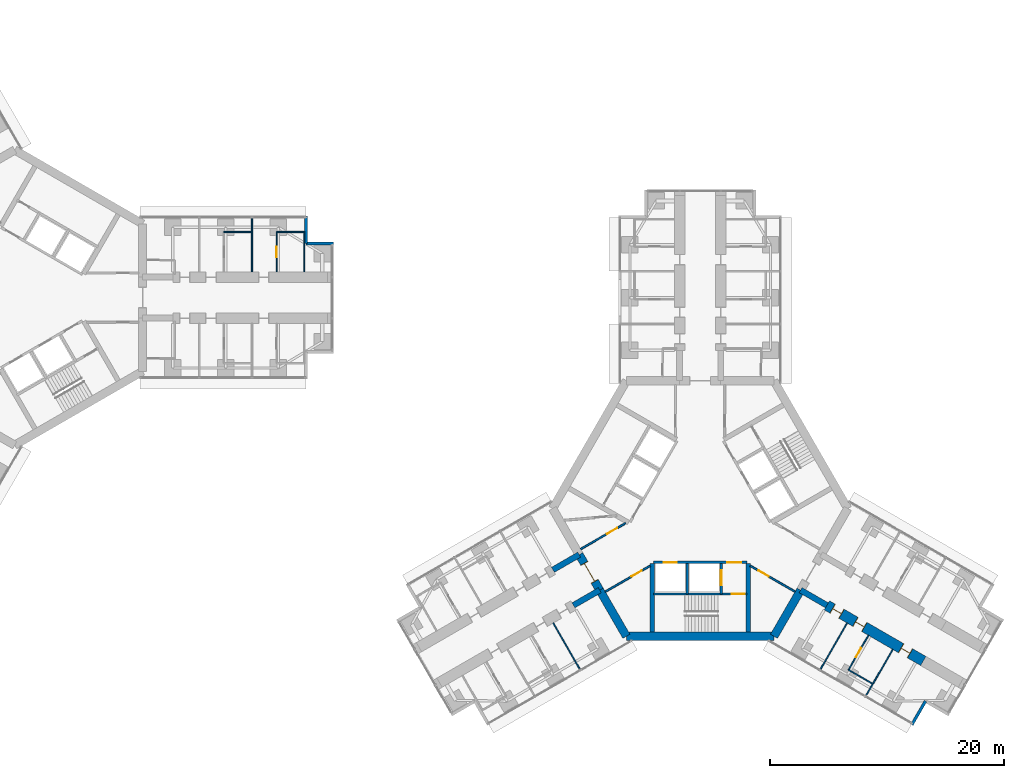
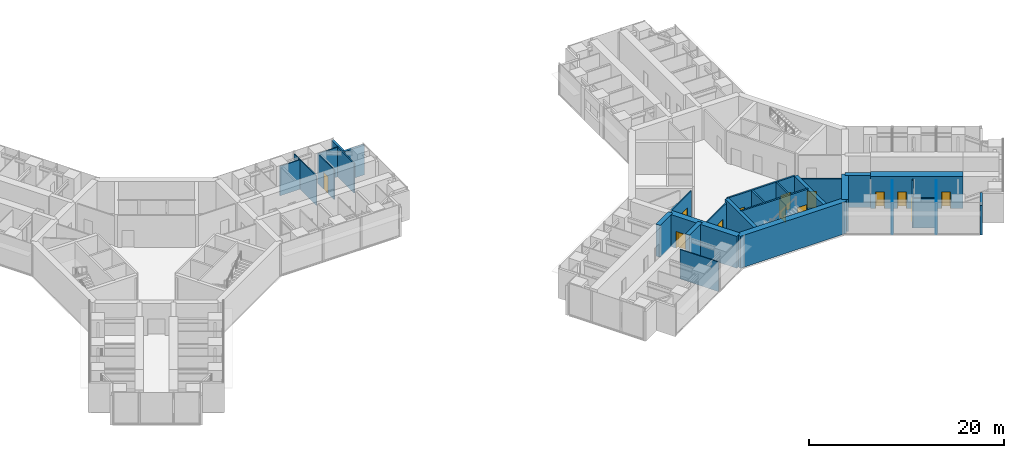
# One storey, part 20 of 25: 30 walls, 13 doors, 13 openings.
"""IFC4 building model written with IfcOpenShell, lengths in metres."""

from ifc_helpers import new_model, si_unit, direction, frame, frame_2d, origin, place, context, subcontext, project, spatial, rectangle, extrude, material, layer, layer_set, type_object, element, fill, save


model = new_model("IFC4")

# Units and contexts
model_context = context("Model", 3, precision=1e-05, world=origin(), true_north=direction((0.0, 1.0)))
body_context = subcontext(model_context, "Body", "Model", "MODEL_VIEW")
ifc_project = project(units=[si_unit("LENGTHUNIT", "METRE"), si_unit("AREAUNIT", "SQUARE_METRE"), si_unit("VOLUMEUNIT", "CUBIC_METRE"), si_unit("PLANEANGLEUNIT", "RADIAN"), si_unit("MASSUNIT", "GRAM", prefix="KILO")], contexts=[model_context])

# Site, building, storey
site_placement = place(None, origin())
site = spatial("IfcSite", under=ifc_project, at=site_placement, CompositionType="ELEMENT")
building_placement = place(site_placement, origin())
building = spatial("IfcBuilding", under=site, at=building_placement, Name="Upepo Twin Towers", CompositionType="ELEMENT")
storey_placement = place(building_placement, frame((0.0, 0.0, 88.5)))
storey = spatial("IfcBuildingStorey", under=building, at=storey_placement, Name="L21", CompositionType="ELEMENT", Elevation=88.5)

# Walls
ifc_material_1 = material(Name="Concrete C60/75", Category="concrete")
ifc_layer_1 = layer(ifc_material_1, 0.5)
ifc_layer_set_1 = layer_set([ifc_layer_1], Name="Concrete C60/75")
wall_type_1 = type_object("IfcWallType", Name="Buttress wall 500 RC", PredefinedType="SHEAR", material=ifc_layer_set_1)
for number, where, z_axis, x_axis, name in (
    (1, (49.92822265625, -24.9697265625, 0.0), (0.0, 0.0, 1.0), (-0.866031863473, -0.499988811324, 0.0), "T2 wing B buttress wall L"),
    (2, (48.17822265625, -21.938720703125, 0.0), (0.0, 0.0, 1.0), (-0.866072649678, -0.499918158782, 0.0), "T2 wing B buttress wall R"),
    (3, (67.07177734375, -24.9697265625, 0.0), (0.0, 0.0, 1.0), (0.866031863473, -0.499988811324, 0.0), "T2 wing C buttress wall R"),
):
    element("IfcWall", number, at=place(storey_placement, frame(where, z_axis=z_axis, x_axis=x_axis)), inside=storey, type_object=wall_type_1, Name=name, PredefinedType="SHEAR", context=body_context, shape_type="SweptSolid", body=[
        extrude(rectangle(XDim=2.591796875, YDim=0.5, at=frame_2d((1.2958984375, 0.0))), origin(), (0.0, 0.0, 1.0), 4.0),
    ])

# Wall, openings, doors
ifc_material_2 = material(Name="Concrete C60/75", Category="concrete")
ifc_layer_2 = layer(ifc_material_2, 0.89990234375)
ifc_layer_set_2 = layer_set([ifc_layer_2], Name="Concrete C60/75")
wall_type_2 = type_object("IfcWallType", Name="Buttress wall 900 RC", PredefinedType="SHEAR", material=ifc_layer_set_2)
wall_1_placement = place(storey_placement, frame((69.31640625, -26.265625, 0.0), z_axis=(0.0, 0.0, 1.0), x_axis=(0.86602681393, -0.499997557548, 0.0)))
wall_1 = element("IfcWall", 4, at=wall_1_placement, inside=storey, type_object=wall_type_2, Name="T2 wing C buttress wall R part 2", PredefinedType="SHEAR", context=body_context, shape_type="SweptSolid", body=[
    extrude(rectangle(XDim=9.5, YDim=0.89990234375, at=frame_2d((4.75, 0.0))), origin(), (0.0, 0.0, 1.0), 4.0),
])
opening_1_placement = place(wall_1_placement, frame((0.550048828125, 0.0, 0.0)))
opening_1 = element("IfcOpeningElement", 5, at=opening_1_placement, cuts=wall_1, Name="Opening D14", PredefinedType="OPENING", context=body_context, shape_type="SweptSolid", body=[
    extrude(rectangle(XDim=0.89990234375, YDim=2.10009765625, at=frame_2d((0.449951171875, 1.050048828125))), frame((0.0, 0.4599609375, 0.0), z_axis=(0.0, -1.0, 0.0), x_axis=(1.0, 0.0, 0.0)), (0.0, 0.0, 1.0), 0.919921875),
])
opening_2_placement = place(wall_1_placement, frame((2.800048828125, 0.0, 0.0)))
opening_2 = element("IfcOpeningElement", 6, at=opening_2_placement, cuts=wall_1, Name="Opening D14", PredefinedType="OPENING", context=body_context, shape_type="SweptSolid", body=[
    extrude(rectangle(XDim=0.89990234375, YDim=2.10009765625, at=frame_2d((0.449951171875, 1.050048828125))), frame((0.0, 0.4599609375, 0.0), z_axis=(0.0, -1.0, 0.0), x_axis=(1.0, 0.0, 0.0)), (0.0, 0.0, 1.0), 0.919921875),
])
opening_3_placement = place(wall_1_placement, frame((7.300048828125, 0.0, 0.0)))
opening_3 = element("IfcOpeningElement", 7, at=opening_3_placement, cuts=wall_1, Name="Opening D14", PredefinedType="OPENING", context=body_context, shape_type="SweptSolid", body=[
    extrude(rectangle(XDim=0.89990234375, YDim=2.10009765625, at=frame_2d((0.449951171875, 1.050048828125))), frame((0.0, 0.4599609375, 0.0), z_axis=(0.0, -1.0, 0.0), x_axis=(1.0, 0.0, 0.0)), (0.0, 0.0, 1.0), 0.919921875),
])
ifc_material_3 = material(Name="Timber doorset", Category="wood")
door_type_1 = type_object("IfcDoorType", Name="Office door 900 FD30", OperationType="SINGLE_SWING_LEFT", PredefinedType="DOOR", material=ifc_material_3)
door_1_placement = place(opening_1_placement, origin())
door_1 = element("IfcDoor", 8, at=door_1_placement, inside=storey, type_object=door_type_1, Name="T2 L21 meeting room door", OperationType="SINGLE_SWING_LEFT", OverallHeight=2.10009765625, OverallWidth=0.89990234375, PredefinedType="DOOR", context=body_context, shape_type="SweptSolid", body=[
    extrude(rectangle(XDim=0.81990234375, YDim=2.06009765625, at=frame_2d((0.449951171875, 1.030029296875))), frame((0.0, 0.02490234375, 0.0), z_axis=(0.0, -1.0, 0.0), x_axis=(1.0, 0.0, 0.0)), (0.0, 0.0, 1.0), 0.050048828125),
    extrude(rectangle(XDim=0.04, YDim=2.10009765625, at=frame_2d((0.02001953125, 1.050048828125))), frame((0.0, 0.44970703125, 0.0), z_axis=(0.0, -1.0, 0.0), x_axis=(1.0, 0.0, 0.0)), (0.0, 0.0, 1.0), 0.8994140625),
    extrude(rectangle(XDim=0.04, YDim=2.10009765625, at=frame_2d((0.8798828125, 1.050048828125))), frame((0.0, 0.44970703125, 0.0), z_axis=(0.0, -1.0, 0.0), x_axis=(1.0, 0.0, 0.0)), (0.0, 0.0, 1.0), 0.8994140625),
    extrude(rectangle(XDim=0.81990234375, YDim=0.04, at=frame_2d((0.449951171875, 2.080078125))), frame((0.0, 0.44970703125, 0.0), z_axis=(0.0, -1.0, 0.0), x_axis=(1.0, 0.0, 0.0)), (0.0, 0.0, 1.0), 0.8994140625),
])
fill(opening_1, door_1)
door_2_placement = place(opening_2_placement, origin())
door_2 = element("IfcDoor", 9, at=door_2_placement, inside=storey, type_object=door_type_1, Name="T2 L21 staff office door", OperationType="SINGLE_SWING_LEFT", OverallHeight=2.10009765625, OverallWidth=0.89990234375, PredefinedType="DOOR", context=body_context, shape_type="SweptSolid", body=[
    extrude(rectangle(XDim=0.81990234375, YDim=2.06009765625, at=frame_2d((0.449951171875, 1.030029296875))), frame((0.0, 0.02490234375, 0.0), z_axis=(0.0, -1.0, 0.0), x_axis=(1.0, 0.0, 0.0)), (0.0, 0.0, 1.0), 0.050048828125),
    extrude(rectangle(XDim=0.04, YDim=2.10009765625, at=frame_2d((0.02001953125, 1.050048828125))), frame((0.0, 0.44970703125, 0.0), z_axis=(0.0, -1.0, 0.0), x_axis=(1.0, 0.0, 0.0)), (0.0, 0.0, 1.0), 0.8994140625),
    extrude(rectangle(XDim=0.04, YDim=2.10009765625, at=frame_2d((0.8798828125, 1.050048828125))), frame((0.0, 0.44970703125, 0.0), z_axis=(0.0, -1.0, 0.0), x_axis=(1.0, 0.0, 0.0)), (0.0, 0.0, 1.0), 0.8994140625),
    extrude(rectangle(XDim=0.81990234375, YDim=0.04, at=frame_2d((0.449951171875, 2.080078125))), frame((0.0, 0.44970703125, 0.0), z_axis=(0.0, -1.0, 0.0), x_axis=(1.0, 0.0, 0.0)), (0.0, 0.0, 1.0), 0.8994140625),
])
fill(opening_2, door_2)
door_3_placement = place(opening_3_placement, origin())
door_3 = element("IfcDoor", 10, at=door_3_placement, inside=storey, type_object=door_type_1, Name="T2 L21 postgraduate office door", OperationType="SINGLE_SWING_RIGHT", OverallHeight=2.10009765625, OverallWidth=0.89990234375, PredefinedType="DOOR", context=body_context, shape_type="SweptSolid", body=[
    extrude(rectangle(XDim=0.81990234375, YDim=2.06009765625, at=frame_2d((0.449951171875, 1.030029296875))), frame((0.0, 0.02490234375, 0.0), z_axis=(0.0, -1.0, 0.0), x_axis=(1.0, 0.0, 0.0)), (0.0, 0.0, 1.0), 0.050048828125),
    extrude(rectangle(XDim=0.04, YDim=2.10009765625, at=frame_2d((0.02001953125, 1.050048828125))), frame((0.0, 0.44970703125, 0.0), z_axis=(0.0, -1.0, 0.0), x_axis=(1.0, 0.0, 0.0)), (0.0, 0.0, 1.0), 0.8994140625),
    extrude(rectangle(XDim=0.04, YDim=2.10009765625, at=frame_2d((0.8798828125, 1.050048828125))), frame((0.0, 0.44970703125, 0.0), z_axis=(0.0, -1.0, 0.0), x_axis=(1.0, 0.0, 0.0)), (0.0, 0.0, 1.0), 0.8994140625),
    extrude(rectangle(XDim=0.81990234375, YDim=0.04, at=frame_2d((0.449951171875, 2.080078125))), frame((0.0, 0.44970703125, 0.0), z_axis=(0.0, -1.0, 0.0), x_axis=(1.0, 0.0, 0.0)), (0.0, 0.0, 1.0), 0.8994140625),
])
fill(opening_3, door_3)

# Wall, opening, door
ifc_material_4 = material(Name="Concrete C60/75", Category="concrete")
ifc_layer_3 = layer(ifc_material_4, 0.699951171875)
ifc_layer_set_3 = layer_set([ifc_layer_3], Name="Concrete C60/75")
wall_type_3 = type_object("IfcWallType", Name="Core wall 700 RC", PredefinedType="SHEAR", material=ifc_layer_set_3)
wall_2_placement = place(storey_placement, frame((48.17822265625, -21.938720703125, 0.0), z_axis=(0.0, 0.0, 1.0), x_axis=(0.500010275428, -0.866019471182, 0.0)))
wall_2 = element("IfcWall", 11, at=wall_2_placement, inside=storey, type_object=wall_type_3, Name="T2 core wall 120", PredefinedType="SHEAR", context=body_context, shape_type="SweptSolid", body=[
    extrude(rectangle(XDim=3.5, YDim=0.699951171875, at=frame_2d((1.75, 0.0))), origin(), (0.0, 0.0, 1.0), 4.0),
])
opening_4_placement = place(wall_2_placement, frame((0.85009765625, 0.0, 0.0)))
opening_4 = element("IfcOpeningElement", 12, at=opening_4_placement, cuts=wall_2, Name="Opening D2", PredefinedType="OPENING", context=body_context, shape_type="SweptSolid", body=[
    extrude(rectangle(XDim=1.800048828125, YDim=2.10009765625, at=frame_2d((0.89990234375, 1.050048828125))), frame((0.0, 0.35986328125, 0.0), z_axis=(0.0, -1.0, 0.0), x_axis=(1.0, 0.0, 0.0)), (0.0, 0.0, 1.0), 0.719970703125),
])
ifc_material_5 = material(Name="Timber doorset", Category="wood")
door_type_2 = type_object("IfcDoorType", Name="Corridor double door 1800 FD60", OperationType="DOUBLE_DOOR_DOUBLE_SWING", PredefinedType="DOOR", material=ifc_material_5)
door_4_placement = place(opening_4_placement, origin())
door_4 = element("IfcDoor", 13, at=door_4_placement, inside=storey, type_object=door_type_2, Name="T2 L21 wing B corridor door", OperationType="DOUBLE_DOOR_DOUBLE_SWING", OverallHeight=2.10009765625, OverallWidth=1.800048828125, PredefinedType="DOOR", context=body_context, shape_type="SweptSolid", body=[
    extrude(rectangle(XDim=1.720048828125, YDim=2.06009765625, at=frame_2d((0.89990234375, 1.030029296875))), frame((0.0, 0.02490234375, 0.0), z_axis=(0.0, -1.0, 0.0), x_axis=(1.0, 0.0, 0.0)), (0.0, 0.0, 1.0), 0.050048828125),
    extrude(rectangle(XDim=0.04, YDim=2.10009765625, at=frame_2d((0.02001953125, 1.050048828125))), frame((0.0, 0.349609375, 0.0), z_axis=(0.0, -1.0, 0.0), x_axis=(1.0, 0.0, 0.0)), (0.0, 0.0, 1.0), 0.699462890625),
    extrude(rectangle(XDim=0.04, YDim=2.10009765625, at=frame_2d((1.780029296875, 1.050048828125))), frame((0.0, 0.349609375, 0.0), z_axis=(0.0, -1.0, 0.0), x_axis=(1.0, 0.0, 0.0)), (0.0, 0.0, 1.0), 0.699462890625),
    extrude(rectangle(XDim=1.720048828125, YDim=0.04, at=frame_2d((0.89990234375, 2.080078125))), frame((0.0, 0.349609375, 0.0), z_axis=(0.0, -1.0, 0.0), x_axis=(1.0, 0.0, 0.0)), (0.0, 0.0, 1.0), 0.699462890625),
])
fill(opening_4, door_4)

# Walls
wall_3_placement = place(storey_placement, frame((49.92822265625, -24.9697265625, 0.0), z_axis=(0.0, 0.0, 1.0), x_axis=(0.499984222037, -0.866034513004, 0.0)))
element("IfcWall", 14, at=wall_3_placement, inside=storey, type_object=wall_type_3, Name="T2 core wall 120 L", PredefinedType="SHEAR", context=body_context, shape_type="SweptSolid", body=[
    extrude(rectangle(XDim=4.548095703125, YDim=0.699951171875, at=frame_2d((2.27392578125, 0.0))), origin(), (0.0, 0.0, 1.0), 4.0),
])
wall_4_placement = place(storey_placement, frame((52.2021484375, -28.908447265625, 0.0), z_axis=(0.0, 0.0, 1.0), x_axis=(1.0, 0.0, 0.0)))
element("IfcWall", 15, at=wall_4_placement, inside=storey, type_object=wall_type_3, Name="T2 core wall 180", PredefinedType="SHEAR", context=body_context, shape_type="SweptSolid", body=[
    extrude(rectangle(XDim=12.595703125, YDim=0.699951171875, at=frame_2d((6.2978515625, 0.0))), origin(), (0.0, 0.0, 1.0), 4.0),
])
wall_5_placement = place(storey_placement, frame((64.7978515625, -28.908447265625, 0.0), z_axis=(0.0, 0.0, 1.0), x_axis=(0.499984222037, 0.866034513004, 0.0)))
element("IfcWall", 16, at=wall_5_placement, inside=storey, type_object=wall_type_3, Name="T2 core wall 240 R", PredefinedType="SHEAR", context=body_context, shape_type="SweptSolid", body=[
    extrude(rectangle(XDim=4.548095703125, YDim=0.699951171875, at=frame_2d((2.27392578125, 0.0))), origin(), (0.0, 0.0, 1.0), 4.0),
])
ifc_material_6 = material(Name="Blockwork with anodised aluminium cladding", Category="masonry")
ifc_layer_4 = layer(ifc_material_6, 0.25)
ifc_layer_set_4 = layer_set([ifc_layer_4], Name="Notch cladding wall 250, pale metal")
wall_type_4 = type_object("IfcWallType", Name="Notch cladding wall 250, pale metal", PredefinedType="STANDARD", material=ifc_layer_set_4)
for number, where, z_axis, x_axis, name in (
    (17, (24.875, 6.949951171875, 0.0), (0.0, 0.0, 1.0), (0.0, -1.0, 0.0), "T1 L21 wing A notch wall L1"),
    (18, (24.875, 4.625, 0.0), (0.0, 0.0, 1.0), (1.0, 0.0, 0.0), "T1 L21 wing A notch wall L2"),
    (19, (76.5673828125, -36.456298828125, 0.0), (0.0, 0.0, 1.0), (0.500046648681, 0.865998469481, 0.0), "T2 L21 wing C notch wall R1"),
):
    element("IfcWall", number, at=place(storey_placement, frame(where, z_axis=z_axis, x_axis=x_axis)), inside=storey, type_object=wall_type_4, Name=name, PredefinedType="STANDARD", context=body_context, shape_type="SweptSolid", body=[
        extrude(rectangle(XDim=2.324951171875, YDim=0.25, at=frame_2d((1.16259765625, 0.0))), origin(), (0.0, 0.0, 1.0), 3.699951171875),
    ])
ifc_material_7 = material(Name="Gypsum board on steel studs", Category="steel")
ifc_layer_5 = layer(ifc_material_7, 0.10009765625)
ifc_layer_set_5 = layer_set([ifc_layer_5], Name="Office partition 100 stud")
wall_type_5 = type_object("IfcWallType", Name="Office partition 100 stud", PredefinedType="PARTITIONING", material=ifc_layer_set_5)
wall_6_placement = place(storey_placement, frame((20.25, 2.199951171875, 0.0), z_axis=(0.0, 0.0, 1.0), x_axis=(0.0, 1.0, 0.0)))
element("IfcWall", 20, at=wall_6_placement, inside=storey, type_object=wall_type_5, Name="T1 partition AL at 20.25", PredefinedType="PARTITIONING", context=body_context, shape_type="SweptSolid", body=[
    extrude(rectangle(XDim=4.550048828125, YDim=0.10009765625, at=frame_2d((2.27490234375, 0.0))), origin(), (0.0, 0.0, 1.0), 3.699951171875),
])
for number, where, z_axis, x_axis, name in (
    (21, (17.85009765625, 5.60009765625, 0.0), (0.0, 0.0, 1.0), (1.0, 0.0, 0.0), "T1 inner room partition AL at 17.85"),
    (22, (22.35009765625, 5.60009765625, 0.0), (0.0, 0.0, 1.0), (1.0, 0.0, 0.0), "T1 inner room partition AL at 22.35"),
):
    element("IfcWall", number, at=place(storey_placement, frame(where, z_axis=z_axis, x_axis=x_axis)), inside=storey, type_object=wall_type_5, Name=name, PredefinedType="PARTITIONING", context=body_context, shape_type="SweptSolid", body=[
        extrude(rectangle(XDim=2.39990234375, YDim=0.10009765625, at=frame_2d((1.199951171875, 0.0))), origin(), (0.0, 0.0, 1.0), 3.699951171875),
    ])

# Wall, opening, door
wall_7_placement = place(storey_placement, frame((22.35009765625, 2.199951171875, 0.0), z_axis=(0.0, 0.0, 1.0), x_axis=(0.0, 1.0, 0.0)))
wall_7 = element("IfcWall", 23, at=wall_7_placement, inside=storey, type_object=wall_type_5, Name="T1 inner room partition AL end at 22.35", PredefinedType="PARTITIONING", context=body_context, shape_type="SweptSolid", body=[
    extrude(rectangle(XDim=3.400146484375, YDim=0.10009765625, at=frame_2d((1.7001953125, 0.0))), origin(), (0.0, 0.0, 1.0), 3.699951171875),
])
opening_5_placement = place(wall_7_placement, frame((1.25, 0.0, 0.0)))
opening_5 = element("IfcOpeningElement", 24, at=opening_5_placement, cuts=wall_7, Name="Opening D14", PredefinedType="OPENING", context=body_context, shape_type="SweptSolid", body=[
    extrude(rectangle(XDim=0.89990234375, YDim=2.10009765625, at=frame_2d((0.449951171875, 1.050048828125))), frame((0.0, 0.06005859375, 0.0), z_axis=(0.0, -1.0, 0.0), x_axis=(1.0, 0.0, 0.0)), (0.0, 0.0, 1.0), 0.1201171875),
])
door_5_placement = place(opening_5_placement, origin())
door_5 = element("IfcDoor", 25, at=door_5_placement, inside=storey, type_object=door_type_1, Name="T1 L21 inner room door", OperationType="SINGLE_SWING_LEFT", OverallHeight=2.10009765625, OverallWidth=0.89990234375, PredefinedType="DOOR", context=body_context, shape_type="SweptSolid", body=[
    extrude(rectangle(XDim=0.89990234375, YDim=2.10009765625, at=frame_2d((0.449951171875, 1.050048828125))), frame((0.0, 0.02490234375, 0.0), z_axis=(0.0, -1.0, 0.0), x_axis=(1.0, 0.0, 0.0)), (0.0, 0.0, 1.0), 0.050048828125),
])
fill(opening_5, door_5)

# Walls
wall_8_placement = place(storey_placement, frame((24.699951171875, 2.199951171875, 0.0), z_axis=(0.0, 0.0, 1.0), x_axis=(0.0, 1.0, 0.0)))
element("IfcWall", 26, at=wall_8_placement, inside=storey, type_object=wall_type_5, Name="T1 inner room partition AL end at 24.75", PredefinedType="PARTITIONING", context=body_context, shape_type="SweptSolid", body=[
    extrude(rectangle(XDim=3.400146484375, YDim=0.10009765625, at=frame_2d((1.7001953125, 0.0))), origin(), (0.0, 0.0, 1.0), 3.699951171875),
])
for number, where, z_axis, x_axis, name in (
    (27, (45.960205078125, -27.7802734375, 0.0), (0.0, 0.0, 1.0), (0.499982560684, -0.866035472144, 0.0), "T2 partition BL at 15.75"),
    (28, (71.039794921875, -27.7802734375, 0.0), (0.0, 0.0, 1.0), (-0.499982560684, -0.866035472144, 0.0), "T2 partition CR at 15.75"),
    (29, (74.93701171875, -30.0302734375, 0.0), (0.0, 0.0, 1.0), (-0.499982560684, -0.866035472144, 0.0), "T2 partition CR at 20.25"),
):
    element("IfcWall", number, at=place(storey_placement, frame(where, z_axis=z_axis, x_axis=x_axis)), inside=storey, type_object=wall_type_5, Name=name, PredefinedType="PARTITIONING", context=body_context, shape_type="SweptSolid", body=[
        extrude(rectangle(XDim=4.550048828125, YDim=0.10009765625, at=frame_2d((2.27490234375, 0.0))), origin(), (0.0, 0.0, 1.0), 3.699951171875),
    ])
wall_9_placement = place(storey_placement, frame((71.158447265625, -31.774658203125, 0.0), z_axis=(0.0, 0.0, 1.0), x_axis=(0.866006032174, -0.500033551112, 0.0)))
element("IfcWall", 30, at=wall_9_placement, inside=storey, type_object=wall_type_5, Name="T2 inner room partition CR at 17.85", PredefinedType="PARTITIONING", context=body_context, shape_type="SweptSolid", body=[
    extrude(rectangle(XDim=2.400146484375, YDim=0.10009765625, at=frame_2d((1.2001953125, 0.0))), origin(), (0.0, 0.0, 1.0), 3.699951171875),
])

# Wall, opening, door
wall_10_placement = place(storey_placement, frame((72.858642578125, -28.830322265625, 0.0), z_axis=(0.0, 0.0, 1.0), x_axis=(-0.500062241894, -0.865989465428, 0.0)))
wall_10 = element("IfcWall", 31, at=wall_10_placement, inside=storey, type_object=wall_type_5, Name="T2 inner room partition CR end at 17.85", PredefinedType="PARTITIONING", context=body_context, shape_type="SweptSolid", body=[
    extrude(rectangle(XDim=3.39990234375, YDim=0.10009765625, at=frame_2d((1.699951171875, 0.0))), origin(), (0.0, 0.0, 1.0), 3.699951171875),
])
opening_6_placement = place(wall_10_placement, frame((1.25, 0.0, 0.0)))
opening_6 = element("IfcOpeningElement", 32, at=opening_6_placement, cuts=wall_10, Name="Opening D14", PredefinedType="OPENING", context=body_context, shape_type="SweptSolid", body=[
    extrude(rectangle(XDim=0.89990234375, YDim=2.10009765625, at=frame_2d((0.449951171875, 1.050048828125))), frame((0.0, 0.06005859375, 0.0), z_axis=(0.0, -1.0, 0.0), x_axis=(1.0, 0.0, 0.0)), (0.0, 0.0, 1.0), 0.1201171875),
])
door_6_placement = place(opening_6_placement, origin())
door_6 = element("IfcDoor", 33, at=door_6_placement, inside=storey, type_object=door_type_1, Name="T2 L21 inner room door", OperationType="SINGLE_SWING_LEFT", OverallHeight=2.10009765625, OverallWidth=0.89990234375, PredefinedType="DOOR", context=body_context, shape_type="SweptSolid", body=[
    extrude(rectangle(XDim=0.89990234375, YDim=2.10009765625, at=frame_2d((0.449951171875, 1.050048828125))), frame((0.0, 0.02490234375, 0.0), z_axis=(0.0, -1.0, 0.0), x_axis=(1.0, 0.0, 0.0)), (0.0, 0.0, 1.0), 0.050048828125),
])
fill(opening_6, door_6)

# Wall, openings, doors
ifc_material_8 = material(Name="Concrete C40/50", Category="concrete")
ifc_layer_6 = layer(ifc_material_8, 0.199951171875)
ifc_layer_set_6 = layer_set([ifc_layer_6], Name="Concrete C40/50")
wall_type_6 = type_object("IfcWallType", Name="Shaft wall 200 RC", PredefinedType="SHEAR", material=ifc_layer_set_6)
wall_11_placement = place(storey_placement, frame((54.5, -22.60009765625, 0.0), z_axis=(0.0, 0.0, 1.0), x_axis=(1.0, 0.0, 0.0)))
wall_11 = element("IfcWall", 34, at=wall_11_placement, inside=storey, type_object=wall_type_6, Name="T2 core W180 front wall", PredefinedType="SHEAR", context=body_context, shape_type="SweptSolid", body=[
    extrude(rectangle(XDim=8.0, YDim=0.199951171875, at=frame_2d((4.0, 0.0))), origin(), (0.0, 0.0, 1.0), 4.0),
])
opening_7_placement = place(wall_11_placement, frame((6.300048828125, 0.0, 0.0)))
opening_7 = element("IfcOpeningElement", 35, at=opening_7_placement, cuts=wall_11, Name="Opening D4", PredefinedType="OPENING", context=body_context, shape_type="SweptSolid", body=[
    extrude(rectangle(XDim=1.199951171875, YDim=2.10009765625, at=frame_2d((0.60009765625, 1.050048828125))), frame((0.0, 0.10986328125, 0.0), z_axis=(0.0, -1.0, 0.0), x_axis=(1.0, 0.0, 0.0)), (0.0, 0.0, 1.0), 0.219970703125),
])
opening_8_placement = place(wall_11_placement, frame((0.89990234375, 0.0, 0.0)))
opening_8 = element("IfcOpeningElement", 36, at=opening_8_placement, cuts=wall_11, Name="Opening LD1", PredefinedType="OPENING", context=body_context, shape_type="SweptSolid", body=[
    extrude(rectangle(XDim=1.10009765625, YDim=2.199951171875, at=frame_2d((0.550048828125, 1.10009765625))), frame((0.0, 0.10986328125, 0.0), z_axis=(0.0, -1.0, 0.0), x_axis=(1.0, 0.0, 0.0)), (0.0, 0.0, 1.0), 0.219970703125),
])
ifc_material_9 = material(Name="Steel doorset", Category="steel")
door_type_3 = type_object("IfcDoorType", Name="Lift landing door 1100", OperationType="DOUBLE_DOOR_SLIDING", PredefinedType="DOOR", material=ifc_material_9)
door_7_placement = place(opening_8_placement, origin())
door_7 = element("IfcDoor", 37, at=door_7_placement, inside=storey, type_object=door_type_3, Name="T2 L21 lift SV1 landing door", OperationType="DOUBLE_DOOR_SLIDING", OverallHeight=2.199951171875, OverallWidth=1.10009765625, PredefinedType="DOOR", context=body_context, shape_type="SweptSolid", body=[
    extrude(rectangle(XDim=1.10009765625, YDim=2.199951171875, at=frame_2d((0.550048828125, 1.10009765625))), frame((0.0, 0.02490234375, 0.0), z_axis=(0.0, -1.0, 0.0), x_axis=(1.0, 0.0, 0.0)), (0.0, 0.0, 1.0), 0.050048828125),
])
fill(opening_8, door_7)
ifc_material_10 = material(Name="Timber doorset", Category="wood")
door_type_4 = type_object("IfcDoorType", Name="Lobby door 1200 FD60", OperationType="SINGLE_SWING_LEFT", PredefinedType="DOOR", material=ifc_material_10)
door_8_placement = place(opening_7_placement, origin())
door_8 = element("IfcDoor", 38, at=door_8_placement, inside=storey, type_object=door_type_4, Name="T2 L21 W180 lobby door", OperationType="SINGLE_SWING_RIGHT", OverallHeight=2.10009765625, OverallWidth=1.199951171875, PredefinedType="DOOR", context=body_context, shape_type="SweptSolid", body=[
    extrude(rectangle(XDim=1.199951171875, YDim=2.10009765625, at=frame_2d((0.60009765625, 1.050048828125))), frame((0.0, 0.02490234375, 0.0), z_axis=(0.0, -1.0, 0.0), x_axis=(1.0, 0.0, 0.0)), (0.0, 0.0, 1.0), 0.050048828125),
])
fill(opening_7, door_8)

# Wall
wall_12_placement = place(storey_placement, frame((57.39990234375, -22.699951171875, 0.0), z_axis=(0.0, 0.0, 1.0), x_axis=(0.0, -1.0, 0.0)))
element("IfcWall", 39, at=wall_12_placement, inside=storey, type_object=wall_type_6, Name="T2 core W180 shaft divider", PredefinedType="SHEAR", context=body_context, shape_type="SweptSolid", body=[
    extrude(rectangle(XDim=2.60009765625, YDim=0.199951171875, at=frame_2d((1.300048828125, 0.0))), origin(), (0.0, 0.0, 1.0), 4.0),
])

# Wall, opening, door
wall_13_placement = place(storey_placement, frame((60.300048828125, -22.699951171875, 0.0), z_axis=(0.0, 0.0, 1.0), x_axis=(0.0, -1.0, 0.0)))
wall_13 = element("IfcWall", 40, at=wall_13_placement, inside=storey, type_object=wall_type_6, Name="T2 core W180 lobby wall", PredefinedType="SHEAR", context=body_context, shape_type="SweptSolid", body=[
    extrude(rectangle(XDim=2.60009765625, YDim=0.199951171875, at=frame_2d((1.300048828125, 0.0))), origin(), (0.0, 0.0, 1.0), 4.0),
])
opening_9_placement = place(wall_13_placement, frame((0.550048828125, 0.0, 0.0)))
opening_9 = element("IfcOpeningElement", 41, at=opening_9_placement, cuts=wall_13, Name="Opening LD2", PredefinedType="OPENING", context=body_context, shape_type="SweptSolid", body=[
    extrude(rectangle(XDim=1.300048828125, YDim=2.199951171875, at=frame_2d((0.64990234375, 1.10009765625))), frame((0.0, 0.10986328125, 0.0), z_axis=(0.0, -1.0, 0.0), x_axis=(1.0, 0.0, 0.0)), (0.0, 0.0, 1.0), 0.219970703125),
])
ifc_material_11 = material(Name="Steel doorset", Category="steel")
door_type_5 = type_object("IfcDoorType", Name="Firefighting lift landing door 1300", OperationType="DOUBLE_DOOR_SLIDING", PredefinedType="DOOR", material=ifc_material_11)
door_9_placement = place(opening_9_placement, origin())
door_9 = element("IfcDoor", 42, at=door_9_placement, inside=storey, type_object=door_type_5, Name="T2 L21 firefighting lift landing door", OperationType="DOUBLE_DOOR_SLIDING", OverallHeight=2.199951171875, OverallWidth=1.300048828125, PredefinedType="DOOR", context=body_context, shape_type="SweptSolid", body=[
    extrude(rectangle(XDim=1.300048828125, YDim=2.199951171875, at=frame_2d((0.64990234375, 1.10009765625))), frame((0.0, 0.02490234375, 0.0), z_axis=(0.0, -1.0, 0.0), x_axis=(1.0, 0.0, 0.0)), (0.0, 0.0, 1.0), 0.050048828125),
])
fill(opening_9, door_9)

wall_14_placement = place(storey_placement, frame((54.5, -25.300048828125, 0.0), z_axis=(0.0, 0.0, 1.0), x_axis=(1.0, 0.0, 0.0)))
wall_14 = element("IfcWall", 43, at=wall_14_placement, inside=storey, type_object=wall_type_6, Name="T2 core W180 stair wall", PredefinedType="SHEAR", context=body_context, shape_type="SweptSolid", body=[
    extrude(rectangle(XDim=8.0, YDim=0.199951171875, at=frame_2d((4.0, 0.0))), origin(), (0.0, 0.0, 1.0), 4.0),
])
opening_10_placement = place(wall_14_placement, frame((6.699951171875, 0.0, 0.0)))
opening_10 = element("IfcOpeningElement", 44, at=opening_10_placement, cuts=wall_14, Name="Opening D3", PredefinedType="OPENING", context=body_context, shape_type="SweptSolid", body=[
    extrude(rectangle(XDim=1.10009765625, YDim=2.10009765625, at=frame_2d((0.550048828125, 1.050048828125))), frame((0.0, 0.10986328125, 0.0), z_axis=(0.0, -1.0, 0.0), x_axis=(1.0, 0.0, 0.0)), (0.0, 0.0, 1.0), 0.219970703125),
])
ifc_material_12 = material(Name="Timber doorset", Category="wood")
door_type_6 = type_object("IfcDoorType", Name="Stair door 1100 FD60", OperationType="SINGLE_SWING_LEFT", PredefinedType="DOOR", material=ifc_material_12)
door_10_placement = place(opening_10_placement, origin())
door_10 = element("IfcDoor", 45, at=door_10_placement, inside=storey, type_object=door_type_6, Name="T2 L21 stair door", OperationType="SINGLE_SWING_RIGHT", OverallHeight=2.10009765625, OverallWidth=1.10009765625, PredefinedType="DOOR", context=body_context, shape_type="SweptSolid", body=[
    extrude(rectangle(XDim=1.10009765625, YDim=2.10009765625, at=frame_2d((0.550048828125, 1.050048828125))), frame((0.0, 0.02490234375, 0.0), z_axis=(0.0, -1.0, 0.0), x_axis=(1.0, 0.0, 0.0)), (0.0, 0.0, 1.0), 0.050048828125),
])
fill(opening_10, door_10)

# Walls
ifc_material_13 = material(Name="Concrete C40/50", Category="concrete")
ifc_layer_7 = layer(ifc_material_13, 0.39990234375)
ifc_layer_set_7 = layer_set([ifc_layer_7], Name="Concrete C40/50")
wall_type_7 = type_object("IfcWallType", Name="Shaft wall 400 RC", PredefinedType="SHEAR", material=ifc_layer_set_7)
for number, where, z_axis, x_axis, name in (
    (46, (62.60009765625, -22.699951171875, 0.0), (0.0, 0.0, 1.0), (0.0, -1.0, 0.0), "T2 core W180 side wall N"),
    (47, (54.39990234375, -22.699951171875, 0.0), (0.0, 0.0, 1.0), (0.0, -1.0, 0.0), "T2 core W180 side wall S"),
):
    element("IfcWall", number, at=place(storey_placement, frame(where, z_axis=z_axis, x_axis=x_axis)), inside=storey, type_object=wall_type_7, Name=name, PredefinedType="SHEAR", context=body_context, shape_type="SweptSolid", body=[
        extrude(rectangle(XDim=5.8583984375, YDim=0.39990234375, at=frame_2d((2.92919921875, 0.0))), origin(), (0.0, 0.0, 1.0), 4.0),
    ])

# Wall, opening, door
ifc_material_14 = material(Name="Gypsum board on steel studs", Category="steel")
ifc_layer_8 = layer(ifc_material_14, 0.14990234375)
ifc_layer_set_8 = layer_set([ifc_layer_8], Name="Teaching partition 150 acoustic")
wall_type_8 = type_object("IfcWallType", Name="Teaching partition 150 acoustic", PredefinedType="PARTITIONING", material=ifc_layer_set_8)
wall_15_placement = place(storey_placement, frame((48.297607421875, -21.465576171875, 0.0), z_axis=(0.0, 0.0, 1.0), x_axis=(0.866021148949, 0.500007369519, 0.0)))
wall_15 = element("IfcWall", 48, at=wall_15_placement, inside=storey, type_object=wall_type_8, Name="T2 core room partition 1", PredefinedType="PARTITIONING", context=body_context, shape_type="SweptSolid", body=[
    extrude(rectangle(XDim=4.42578125, YDim=0.14990234375, at=frame_2d((2.212890625, 0.0))), origin(), (0.0, 0.0, 1.0), 3.699951171875),
])
opening_11_placement = place(wall_15_placement, frame((2.597900390625, 0.0, 0.0)))
opening_11 = element("IfcOpeningElement", 49, at=opening_11_placement, cuts=wall_15, Name="Opening D1", PredefinedType="OPENING", context=body_context, shape_type="SweptSolid", body=[
    extrude(rectangle(XDim=1.0, YDim=2.10009765625, at=frame_2d((0.5, 1.050048828125))), frame((0.0, 0.0849609375, 0.0), z_axis=(0.0, -1.0, 0.0), x_axis=(1.0, 0.0, 0.0)), (0.0, 0.0, 1.0), 0.169921875),
])
ifc_material_15 = material(Name="Timber doorset", Category="wood")
door_type_7 = type_object("IfcDoorType", Name="Room door 1000 FD30", OperationType="SINGLE_SWING_LEFT", PredefinedType="DOOR", material=ifc_material_15)
door_11_placement = place(opening_11_placement, origin())
door_11 = element("IfcDoor", 50, at=door_11_placement, inside=storey, type_object=door_type_7, Name="T2 L21 core room door K2", OperationType="SINGLE_SWING_RIGHT", OverallHeight=2.10009765625, OverallWidth=1.0, PredefinedType="DOOR", context=body_context, shape_type="SweptSolid", body=[
    extrude(rectangle(XDim=1.0, YDim=2.10009765625, at=frame_2d((0.5, 1.050048828125))), frame((0.0, 0.02490234375, 0.0), z_axis=(0.0, -1.0, 0.0), x_axis=(1.0, 0.0, 0.0)), (0.0, 0.0, 1.0), 0.050048828125),
])
fill(opening_11, door_11)

wall_16_placement = place(storey_placement, frame((66.6025390625, -25.102783203125, 0.0), z_axis=(0.0, 0.0, 1.0), x_axis=(-0.866021148949, 0.500007369519, 0.0)))
wall_16 = element("IfcWall", 51, at=wall_16_placement, inside=storey, type_object=wall_type_8, Name="T2 core room partition 5", PredefinedType="PARTITIONING", context=body_context, shape_type="SweptSolid", body=[
    extrude(rectangle(XDim=4.42578125, YDim=0.14990234375, at=frame_2d((2.212890625, 0.0))), origin(), (0.0, 0.0, 1.0), 3.699951171875),
])
opening_12_placement = place(wall_16_placement, frame((2.597900390625, 0.0, 0.0)))
opening_12 = element("IfcOpeningElement", 52, at=opening_12_placement, cuts=wall_16, Name="Opening D1", PredefinedType="OPENING", context=body_context, shape_type="SweptSolid", body=[
    extrude(rectangle(XDim=1.0, YDim=2.10009765625, at=frame_2d((0.5, 1.050048828125))), frame((0.0, 0.0849609375, 0.0), z_axis=(0.0, -1.0, 0.0), x_axis=(1.0, 0.0, 0.0)), (0.0, 0.0, 1.0), 0.169921875),
])
door_12_placement = place(opening_12_placement, origin())
door_12 = element("IfcDoor", 53, at=door_12_placement, inside=storey, type_object=door_type_7, Name="T2 L21 core room door K4", OperationType="SINGLE_SWING_RIGHT", OverallHeight=2.10009765625, OverallWidth=1.0, PredefinedType="DOOR", context=body_context, shape_type="SweptSolid", body=[
    extrude(rectangle(XDim=1.0, YDim=2.10009765625, at=frame_2d((0.5, 1.050048828125))), frame((0.0, 0.02490234375, 0.0), z_axis=(0.0, -1.0, 0.0), x_axis=(1.0, 0.0, 0.0)), (0.0, 0.0, 1.0), 0.050048828125),
])
fill(opening_12, door_12)

wall_17_placement = place(storey_placement, frame((54.230224609375, -22.889892578125, 0.0), z_axis=(0.0, 0.0, 1.0), x_axis=(-0.866021148949, -0.500007369519, 0.0)))
wall_17 = element("IfcWall", 54, at=wall_17_placement, inside=storey, type_object=wall_type_8, Name="T2 core room partition 6", PredefinedType="PARTITIONING", context=body_context, shape_type="SweptSolid", body=[
    extrude(rectangle(XDim=4.42578125, YDim=0.14990234375, at=frame_2d((2.212890625, 0.0))), origin(), (0.0, 0.0, 1.0), 3.699951171875),
])
opening_13_placement = place(wall_17_placement, frame((0.82763671875, 0.0, 0.0)))
opening_13 = element("IfcOpeningElement", 55, at=opening_13_placement, cuts=wall_17, Name="Opening D1", PredefinedType="OPENING", context=body_context, shape_type="SweptSolid", body=[
    extrude(rectangle(XDim=1.0, YDim=2.10009765625, at=frame_2d((0.5, 1.050048828125))), frame((0.0, 0.0849609375, 0.0), z_axis=(0.0, -1.0, 0.0), x_axis=(1.0, 0.0, 0.0)), (0.0, 0.0, 1.0), 0.169921875),
])
door_13_placement = place(opening_13_placement, origin())
door_13 = element("IfcDoor", 56, at=door_13_placement, inside=storey, type_object=door_type_7, Name="T2 L21 core room door K3", OperationType="SINGLE_SWING_LEFT", OverallHeight=2.10009765625, OverallWidth=1.0, PredefinedType="DOOR", context=body_context, shape_type="SweptSolid", body=[
    extrude(rectangle(XDim=1.0, YDim=2.10009765625, at=frame_2d((0.5, 1.050048828125))), frame((0.0, 0.02490234375, 0.0), z_axis=(0.0, -1.0, 0.0), x_axis=(1.0, 0.0, 0.0)), (0.0, 0.0, 1.0), 0.050048828125),
])
fill(opening_13, door_13)

save(model, "model.ifc")
